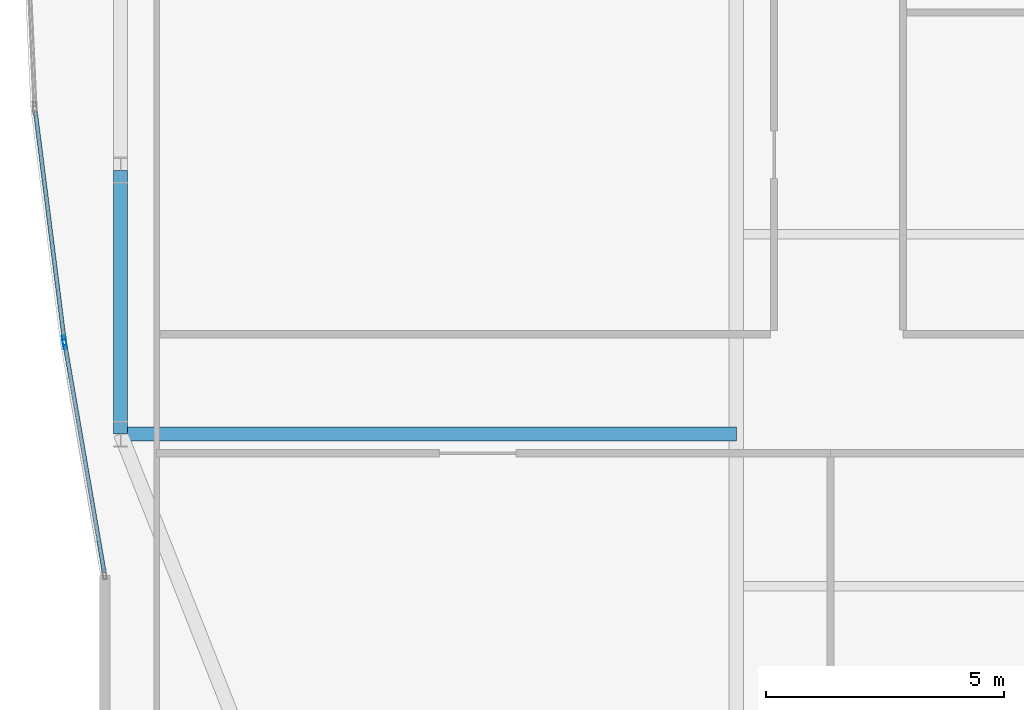
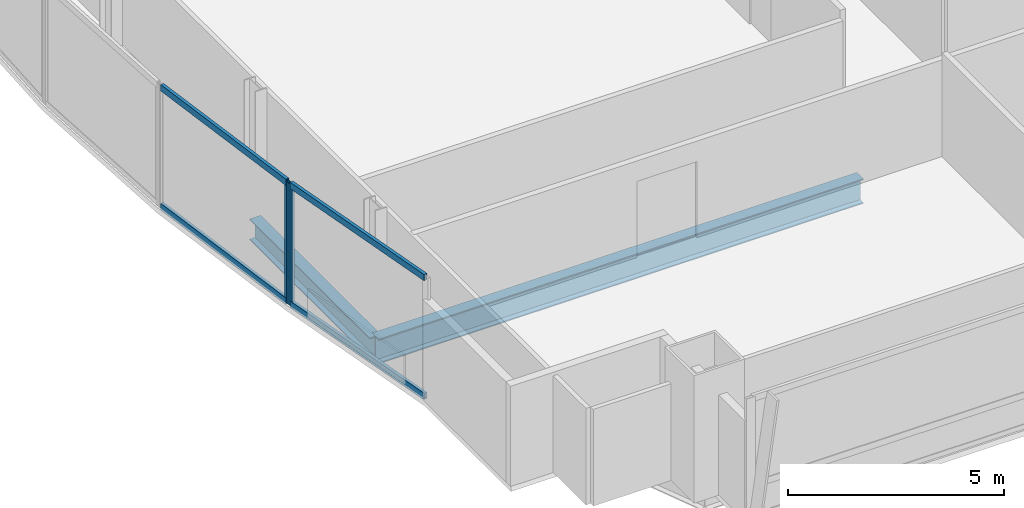
# One storey, part 6 of 29: 6 members, 2 beams, 2 elements without a shape of their own.
"""IFC4 building model written with IfcOpenShell, lengths in metres."""

from ifc_helpers import new_model, si_unit, direction, frame, origin, origin_2d, place, context, subcontext, project, spatial, hollow_rectangle, i_section, extrude, material, material_profile, profile_set, type_object, element, aggregate, save


model = new_model("IFC4")

# Units and contexts
model_context = context("Model", 3, precision=1e-05, world=origin(), true_north=direction((0.0, 1.0)))
body_context = subcontext(model_context, "Body", "Model", "MODEL_VIEW")
ifc_project = project(units=[si_unit("LENGTHUNIT", "METRE"), si_unit("AREAUNIT", "SQUARE_METRE"), si_unit("VOLUMEUNIT", "CUBIC_METRE"), si_unit("PLANEANGLEUNIT", "RADIAN"), si_unit("MASSUNIT", "GRAM", prefix="KILO")], contexts=[model_context])

# Site, building, storey
site_placement = place(None, origin())
site = spatial("IfcSite", under=ifc_project, at=site_placement, CompositionType="ELEMENT")
building_placement = place(site_placement, origin())
building = spatial("IfcBuilding", under=site, at=building_placement, Name="Khoronbel Lancet Exchange", CompositionType="ELEMENT")
storey_placement = place(building_placement, frame((0.0, 0.0, 150.60009765625)))
storey = spatial("IfcBuildingStorey", under=building, at=storey_placement, Name="L37", CompositionType="ELEMENT", Elevation=150.60009765625)

# Beams
ifc_material_1 = material(Name="Steel S355", Category="steel")
ifc_material_profile_1 = material_profile(ifc_material_1, i_section(OverallWidth=0.300048828125, OverallDepth=0.699951171875, WebThickness=0.01708984375, FlangeThickness=0.031982421875, at=origin_2d()), Name="HEB 700")
ifc_profile_set_1 = profile_set([ifc_material_profile_1], Name="Steel S355")
beam_type_1 = type_object("IfcBeamType", Name="BM-BG3", PredefinedType="BEAM", material=ifc_profile_set_1)
beam_1_placement = place(storey_placement, frame((5.27001953125, 19.199951171875, -0.510009765625), z_axis=(1.0, 0.0, 0.0), x_axis=(0.0, 1.0, 0.0)))
element("IfcBeam", 1, at=beam_1_placement, inside=storey, type_object=beam_type_1, Name="Level L37 west lens tie girder LG1W", PredefinedType="BEAM", context=body_context, shape_type="SweptSolid", body=[
    extrude(i_section(OverallWidth=0.300048828125, OverallDepth=0.699951171875, WebThickness=0.01708984375, FlangeThickness=0.031982421875, at=origin_2d()), origin(), (0.0, 0.0, 1.0), 12.955078125),
])
ifc_material_profile_2 = material_profile(ifc_material_1, i_section(OverallWidth=0.300048828125, OverallDepth=0.60009765625, WebThickness=0.015380859375, FlangeThickness=0.030029296875, at=origin_2d()), Name="HEB 600")
ifc_profile_set_2 = profile_set([ifc_material_profile_2], Name="Steel S355")
beam_type_2 = type_object("IfcBeamType", Name="BM-BSP2", PredefinedType="SPANDREL", material=ifc_profile_set_2)
beam_2_placement = place(storey_placement, frame((5.27001953125, 24.75, -0.460205078125), z_axis=(0.0, -1.0, 0.0), x_axis=(1.0, 0.0, 0.0)))
element("IfcBeam", 2, at=beam_2_placement, inside=storey, type_object=beam_type_2, Name="Level L37 perimeter spandrel beam SP20", PredefinedType="SPANDREL", context=body_context, shape_type="SweptSolid", body=[
    extrude(i_section(OverallWidth=0.300048828125, OverallDepth=0.60009765625, WebThickness=0.015380859375, FlangeThickness=0.030029296875, at=origin_2d()), origin(), (0.0, 0.0, 1.0), 5.550048828125),
])

# Curtain wall, member
ifc_material_2 = material(Name="Low-E Solar Control Insulating Glass", Category="glass")
curtain_wall_type = type_object("IfcCurtainWallType", Name="CW-4", PredefinedType="NOTDEFINED", material=ifc_material_2)
curtain_wall_1_placement = place(storey_placement, origin())
curtain_wall_1 = element("IfcCurtainWall", 3, at=curtain_wall_1_placement, inside=storey, type_object=curtain_wall_type, Name="Unitised curtain wall CW-L37-E04", PredefinedType="NOTDEFINED")
ifc_material_3 = material(Name="Bronze-Anodised Aluminium 6063-T6", Category="aluminium")
ifc_material_profile_3 = material_profile(ifc_material_3, hollow_rectangle(XDim=0.074951171875, YDim=0.199951171875, WallThickness=0.0048828125, at=origin_2d()), Name="ALU MULLION 75x200")
ifc_profile_set_3 = profile_set([ifc_material_profile_3], Name="Bronze-Anodised Aluminium 6063-T6")
member_type_1 = type_object("IfcMemberType", Name="MEM-CWM2", PredefinedType="MULLION", material=ifc_profile_set_3)
member_1_placement = place(storey_placement, frame((4.09716796875, 21.093017578125, 0.0), z_axis=(0.0, 0.0, 1.0), x_axis=(-0.985439071124, -0.170028930194, 0.0)))
member_1 = element("IfcMember", 4, at=member_1_placement, type_object=member_type_1, Name="CW4 mullion 2", PredefinedType="MULLION", context=body_context, shape_type="SweptSolid", body=[
    extrude(hollow_rectangle(XDim=0.074951171875, YDim=0.199951171875, WallThickness=0.0048828125, at=origin_2d()), origin(), (0.0, 0.0, 1.0), 3.43994140625),
])

curtain_wall_2_placement = place(storey_placement, origin())
curtain_wall_2 = element("IfcCurtainWall", 5, at=curtain_wall_2_placement, inside=storey, type_object=curtain_wall_type, Name="Unitised curtain wall CW-L37-E05", PredefinedType="NOTDEFINED")
member_2_placement = place(storey_placement, frame((4.0859375, 21.167236328125, 0.0), z_axis=(0.0, 0.0, 1.0), x_axis=(-0.992117302978, -0.125312637554, 0.0)))
member_2 = element("IfcMember", 6, at=member_2_placement, type_object=member_type_1, Name="CW4 mullion 1", PredefinedType="MULLION", context=body_context, shape_type="SweptSolid", body=[
    extrude(hollow_rectangle(XDim=0.074951171875, YDim=0.199951171875, WallThickness=0.0048828125, at=origin_2d()), origin(), (0.0, 0.0, 1.0), 3.43994140625),
])

# Member
ifc_material_profile_4 = material_profile(ifc_material_3, hollow_rectangle(XDim=0.0849609375, YDim=0.179931640625, WallThickness=0.0048828125, at=origin_2d()), Name="ALU TRANSOM 85x180")
ifc_profile_set_4 = profile_set([ifc_material_profile_4], Name="Bronze-Anodised Aluminium 6063-T6")
member_type_2 = type_object("IfcMemberType", Name="MEM-CWT1", PredefinedType="USERDEFINED", material=ifc_profile_set_4)
member_3_placement = place(storey_placement, frame((4.92724609375, 16.281494140625, 0.04248046875), z_axis=(-0.170009844861, 0.985442363941, 0.0), x_axis=(-0.985442363941, -0.170009844861, 0.0)))
member_3 = element("IfcMember", 7, at=member_3_placement, type_object=member_type_2, Name="CW4 transom 1.1", ObjectType="TRANSOM", PredefinedType="USERDEFINED", context=body_context, shape_type="SweptSolid", body=[
    extrude(hollow_rectangle(XDim=0.0849609375, YDim=0.179931640625, WallThickness=0.0048828125, at=origin_2d()), origin(), (0.0, 0.0, 1.0), 4.84521484375),
])

member_4_placement = place(storey_placement, frame((4.92724609375, 16.281494140625, 3.3974609375), z_axis=(-0.170009844861, 0.985442363941, 0.0), x_axis=(-0.985442363941, -0.170009844861, 0.0)))
member_4 = element("IfcMember", 8, at=member_4_placement, type_object=member_type_2, Name="CW4 transom 1.2", ObjectType="TRANSOM", PredefinedType="USERDEFINED", context=body_context, shape_type="SweptSolid", body=[
    extrude(hollow_rectangle(XDim=0.0849609375, YDim=0.179931640625, WallThickness=0.0048828125, at=origin_2d()), origin(), (0.0, 0.0, 1.0), 4.84521484375),
])

aggregate(curtain_wall_1, [member_1, member_3, member_4])

member_5_placement = place(storey_placement, frame((4.081298828125, 21.204345703125, 0.04248046875), z_axis=(-0.125324179344, 0.992115845086, 0.0), x_axis=(-0.992115845086, -0.125324179344, 0.0)))
member_5 = element("IfcMember", 9, at=member_5_placement, type_object=member_type_2, Name="CW4 transom 1.1", ObjectType="TRANSOM", PredefinedType="USERDEFINED", context=body_context, shape_type="SweptSolid", body=[
    extrude(hollow_rectangle(XDim=0.0849609375, YDim=0.179931640625, WallThickness=0.0048828125, at=origin_2d()), origin(), (0.0, 0.0, 1.0), 4.800048828125),
])

member_6_placement = place(storey_placement, frame((4.081298828125, 21.204345703125, 3.3974609375), z_axis=(-0.125324179344, 0.992115845086, 0.0), x_axis=(-0.992115845086, -0.125324179344, 0.0)))
member_6 = element("IfcMember", 10, at=member_6_placement, type_object=member_type_2, Name="CW4 transom 1.2", ObjectType="TRANSOM", PredefinedType="USERDEFINED", context=body_context, shape_type="SweptSolid", body=[
    extrude(hollow_rectangle(XDim=0.0849609375, YDim=0.179931640625, WallThickness=0.0048828125, at=origin_2d()), origin(), (0.0, 0.0, 1.0), 4.800048828125),
])

aggregate(curtain_wall_2, [member_2, member_5, member_6])

save(model, "model.ifc")
